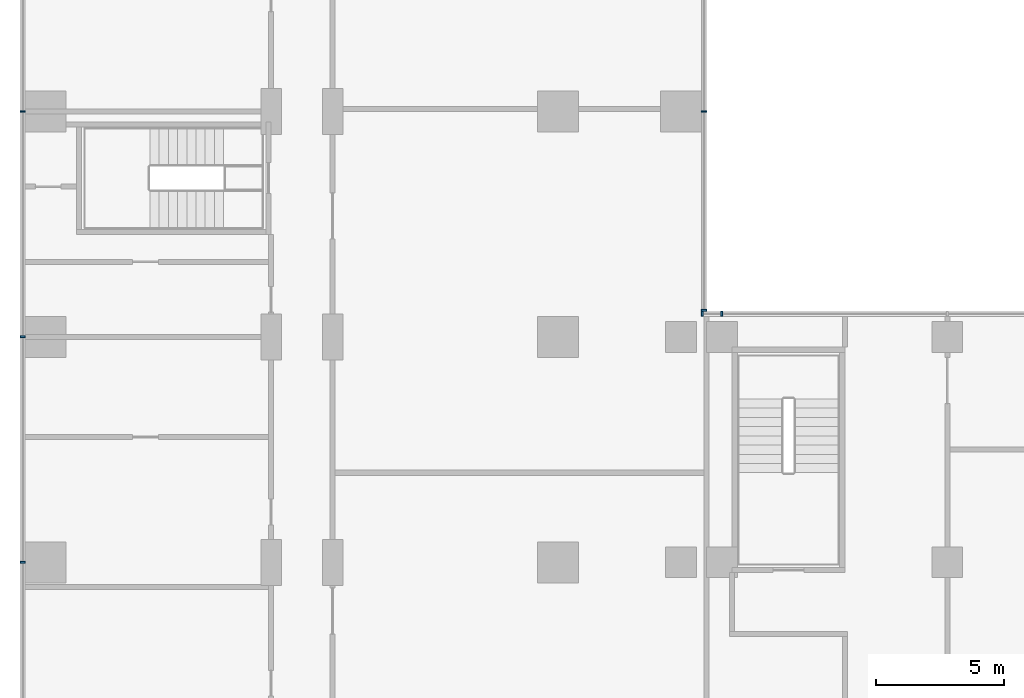
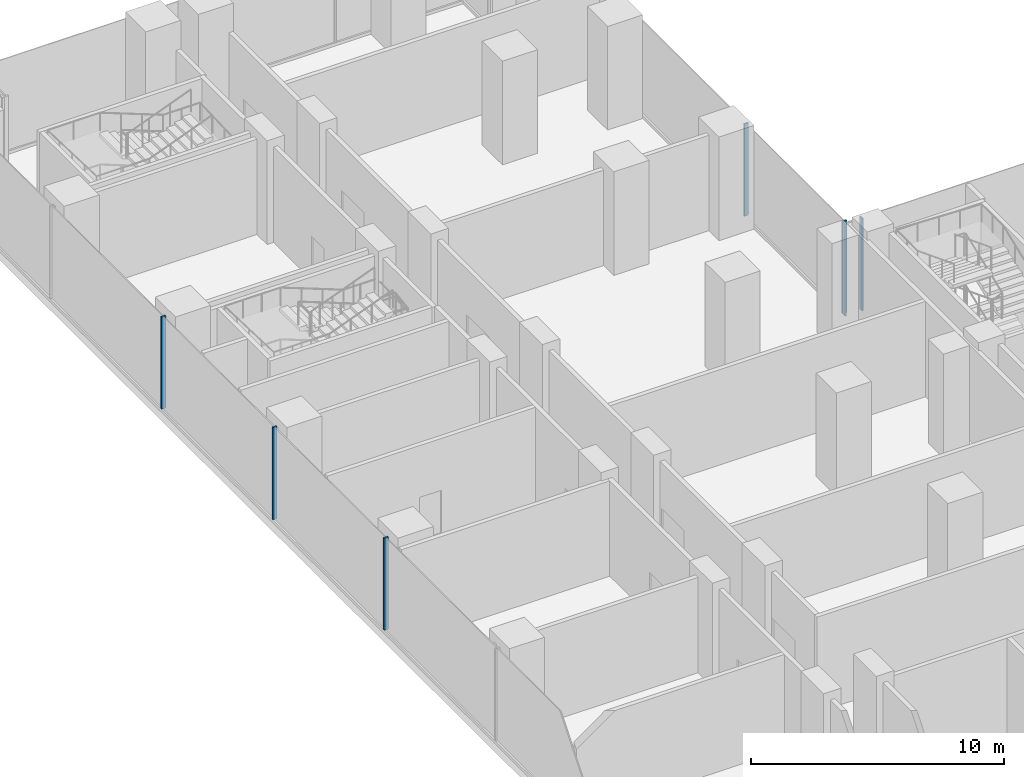
# One storey, part 7 of 30: 7 members, 3 elements without a shape of their own.
"""IFC4 building model written with IfcOpenShell, lengths in metres."""

from ifc_helpers import new_model, si_unit, direction, frame, origin, origin_2d, place, context, subcontext, project, spatial, rectangle, extrude, source, transform, mapped, material, material_profile, profile_set, type_object, element, aggregate, save


model = new_model("IFC4")

# Units and contexts
model_context = context("Model", 3, precision=1e-05, world=origin(), true_north=direction((0.0, 1.0)))
body_context = subcontext(model_context, "Body", "Model", "MODEL_VIEW")
ifc_project = project(units=[si_unit("LENGTHUNIT", "METRE"), si_unit("AREAUNIT", "SQUARE_METRE"), si_unit("VOLUMEUNIT", "CUBIC_METRE"), si_unit("PLANEANGLEUNIT", "RADIAN"), si_unit("MASSUNIT", "GRAM", prefix="KILO")], contexts=[model_context])

# Site, building, storey
site_placement = place(None, origin())
site = spatial("IfcSite", under=ifc_project, at=site_placement, CompositionType="ELEMENT")
building_placement = place(site_placement, origin())
building = spatial("IfcBuilding", under=site, at=building_placement, Name="Kemantara Hotel Tower", CompositionType="ELEMENT")
storey_placement = place(building_placement, frame((0.0, 0.0, 13.0)))
storey = spatial("IfcBuildingStorey", under=building, at=storey_placement, Name="L02", CompositionType="ELEMENT", Elevation=13.0)

# Curtain wall, members
ifc_material_1 = material(Name="Laminated tinted insulated glass 44 mm", Category="glass")
curtain_wall_type = type_object("IfcCurtainWallType", Name="PODIUM GLASS CURTAIN WALL", PredefinedType="USERDEFINED", material=ifc_material_1)
curtain_wall_1_placement = place(storey_placement, origin())
curtain_wall_1 = element("IfcCurtainWall", 1, at=curtain_wall_1_placement, inside=storey, type_object=curtain_wall_type, Name="CW1 L02 POD-R09-1", ObjectType="PODIUM GLASS CURTAIN WALL", PredefinedType="USERDEFINED")
ifc_material_2 = material(Name="Aluminium 6063-T6 bronze anodised", Category="aluminium")
ifc_material_profile = material_profile(ifc_material_2, rectangle(XDim=0.199951171875, YDim=0.074951171875, at=origin_2d()), Name="PODIUM GLASS CURTAIN WALL MULLION")
ifc_profile_set = profile_set([ifc_material_profile], Name="Aluminium 6063-T6 bronze anodised")
member_type = type_object("IfcMemberType", Name="PODIUM GLASS CURTAIN WALL MULLION", PredefinedType="MULLION", material=ifc_profile_set)
shared_shape = source(origin(), body_context, "Body", "SweptSolid", [
    extrude(rectangle(XDim=0.199951171875, YDim=0.074951171875, at=origin_2d()), origin(), (0.0, 0.0, 1.0), 4.4501953125),
])
member_1_placement = place(storey_placement, frame((27.39990234375, 54.699951171875, 0.14990234375), z_axis=(0.0, 0.0, 1.0), x_axis=(0.0, -1.0, 0.0)))
member_1 = element("IfcMember", 2, at=member_1_placement, type_object=member_type, Name="CW1 mullion POD-R09-1.6", PredefinedType="MULLION", context=body_context, shape_type="MappedRepresentation", body=[
    mapped(shared_shape, transform((0.0, 0.0, 0.0))),
])
member_2_placement = place(storey_placement, frame((26.637451171875, 54.699951171875, 0.14990234375), z_axis=(0.0, 0.0, 1.0), x_axis=(0.0, -1.0, 0.0)))
member_2 = element("IfcMember", 3, at=member_2_placement, type_object=member_type, Name="CW1 mullion POD-R09-1.7", PredefinedType="MULLION", context=body_context, shape_type="MappedRepresentation", body=[
    mapped(shared_shape, transform((0.0, 0.0, 0.0))),
])
aggregate(curtain_wall_1, [member_1, member_2])

curtain_wall_2_placement = place(storey_placement, origin())
curtain_wall_2 = element("IfcCurtainWall", 4, at=curtain_wall_2_placement, inside=storey, type_object=curtain_wall_type, Name="CW1 L02 POD-R10-1", ObjectType="PODIUM GLASS CURTAIN WALL", PredefinedType="USERDEFINED")
member_3_placement = place(storey_placement, frame((26.699951171875, 54.83740234375, 0.14990234375), z_axis=(0.0, 0.0, 1.0), x_axis=(-1.0, 0.0, 0.0)))
member_3 = element("IfcMember", 5, at=member_3_placement, type_object=member_type, Name="CW1 mullion POD-R10-1.1", PredefinedType="MULLION", context=body_context, shape_type="MappedRepresentation", body=[
    mapped(shared_shape, transform((0.0, 0.0, 0.0))),
])
member_4_placement = place(storey_placement, frame((26.699951171875, 62.60009765625, 0.14990234375), z_axis=(0.0, 0.0, 1.0), x_axis=(-1.0, 0.0, 0.0)))
member_4 = element("IfcMember", 6, at=member_4_placement, type_object=member_type, Name="CW1 mullion POD-R10-1.2", PredefinedType="MULLION", context=body_context, shape_type="MappedRepresentation", body=[
    mapped(shared_shape, transform((0.0, 0.0, 0.0))),
])
aggregate(curtain_wall_2, [member_3, member_4])

curtain_wall_3_placement = place(storey_placement, origin())
curtain_wall_3 = element("IfcCurtainWall", 7, at=curtain_wall_3_placement, inside=storey, type_object=curtain_wall_type, Name="CW1 L02 POD-R16-1", ObjectType="PODIUM GLASS CURTAIN WALL", PredefinedType="USERDEFINED")
member_5_placement = place(storey_placement, frame((0.10009765625, 62.60009765625, 0.14990234375), z_axis=(0.0, 0.0, 1.0), x_axis=(1.0, 0.0, 0.0)))
member_5 = element("IfcMember", 8, at=member_5_placement, type_object=member_type, Name="CW1 mullion POD-R16-1.3", PredefinedType="MULLION", context=body_context, shape_type="MappedRepresentation", body=[
    mapped(shared_shape, transform((0.0, 0.0, 0.0))),
])
member_6_placement = place(storey_placement, frame((0.10009765625, 53.800048828125, 0.14990234375), z_axis=(0.0, 0.0, 1.0), x_axis=(1.0, 0.0, 0.0)))
member_6 = element("IfcMember", 9, at=member_6_placement, type_object=member_type, Name="CW1 mullion POD-R16-1.4", PredefinedType="MULLION", context=body_context, shape_type="MappedRepresentation", body=[
    mapped(shared_shape, transform((0.0, 0.0, 0.0))),
])
member_7_placement = place(storey_placement, frame((0.10009765625, 45.0, 0.14990234375), z_axis=(0.0, 0.0, 1.0), x_axis=(1.0, 0.0, 0.0)))
member_7 = element("IfcMember", 10, at=member_7_placement, type_object=member_type, Name="CW1 mullion POD-R16-1.5", PredefinedType="MULLION", context=body_context, shape_type="MappedRepresentation", body=[
    mapped(shared_shape, transform((0.0, 0.0, 0.0))),
])
aggregate(curtain_wall_3, [member_5, member_6, member_7])

save(model, "model.ifc")
